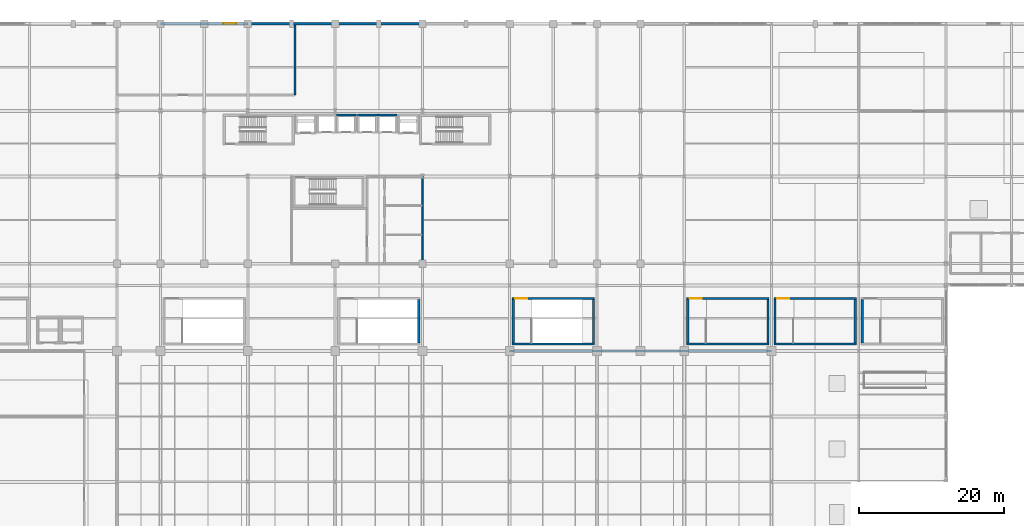
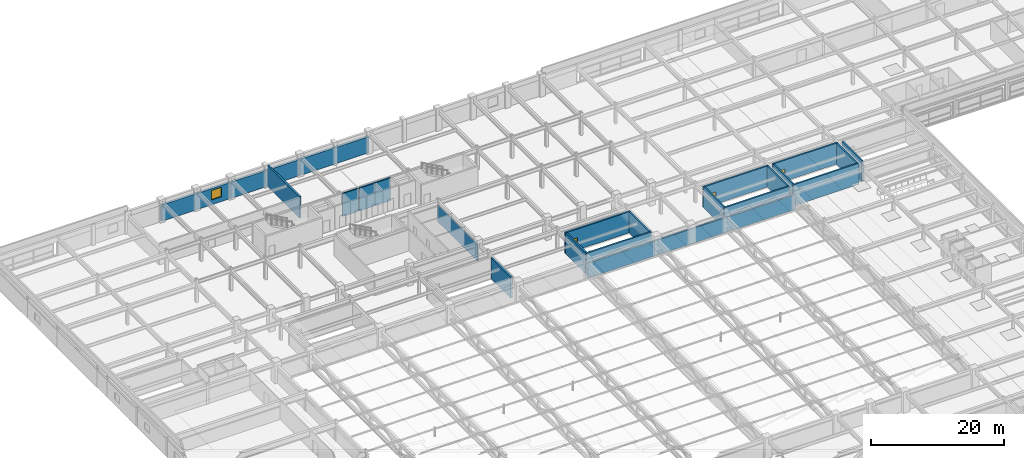
# One storey, part 95 of 108: 23 walls, 3 doors, 1 window, 4 openings.
"""IFC4 building model written with IfcOpenShell, lengths in metres."""

from ifc_helpers import new_model, si_unit, direction, frame, frame_2d, origin, place, context, subcontext, project, spatial, rectangle, extrude, material, layer, layer_set, type_object, element, fill, save


model = new_model("IFC4")

# Units and contexts
model_context = context("Model", 3, precision=1e-05, world=origin(), true_north=direction((0.0, 1.0)))
body_context = subcontext(model_context, "Body", "Model", "MODEL_VIEW")
ifc_project = project(units=[si_unit("LENGTHUNIT", "METRE"), si_unit("AREAUNIT", "SQUARE_METRE"), si_unit("VOLUMEUNIT", "CUBIC_METRE"), si_unit("PLANEANGLEUNIT", "RADIAN"), si_unit("MASSUNIT", "GRAM", prefix="KILO")], contexts=[model_context])

# Site, building, storey
site_placement = place(None, origin())
site = spatial("IfcSite", under=ifc_project, at=site_placement, CompositionType="ELEMENT")
building_placement = place(site_placement, origin())
building = spatial("IfcBuilding", under=site, at=building_placement, Name="Kaldorvane Square Convention Centre", CompositionType="ELEMENT")
storey_placement = place(building_placement, frame((0.0, 0.0, 23.399993896484375)))
storey = spatial("IfcBuildingStorey", under=building, at=storey_placement, Name="L04", CompositionType="ELEMENT", Elevation=23.399993896484375)

# Walls
ifc_material_1 = material(Name="Reinforced Concrete Masonry Acoustic Partition", Category="masonry")
ifc_layer_1 = layer(ifc_material_1, 0.279998779296875)
ifc_layer_set_1 = layer_set([ifc_layer_1], Name="Reinforced Concrete Masonry Acoustic Partition")
wall_type_1 = type_object("IfcWallType", Name="WL-ACO-280", PredefinedType="PARTITIONING", material=ifc_layer_set_1)
wall_1_placement = place(storey_placement, frame((114.0, 72.0, 0.0), z_axis=(0.0, 0.0, 1.0), x_axis=(-1.0, 0.0, 0.0)))
element("IfcWall", 1, at=wall_1_placement, inside=storey, type_object=wall_type_1, Name="Upper Hall Acoustic Enclosure PN (L04)", PredefinedType="PARTITIONING", context=body_context, shape_type="SweptSolid", body=[
    extrude(rectangle(XDim=36.0, YDim=0.279998779296875, at=frame_2d((18.0, 0.0))), origin(), (0.0, 0.0, 1.0), 2.7519989013671875),
])
wall_2_placement = place(storey_placement, frame((48.5, 107.19999694824219, 0.0), z_axis=(0.0, 0.0, 1.0), x_axis=(0.0, 1.0, 0.0)))
element("IfcWall", 2, at=wall_2_placement, inside=storey, type_object=wall_type_1, Name="Hotel Transfer Mechanical Plant Room E Wall", PredefinedType="PARTITIONING", context=body_context, shape_type="SweptSolid", body=[
    extrude(rectangle(XDim=9.610000610351562, YDim=0.279998779296875, at=frame_2d((4.80499267578125, 0.0))), origin(), (0.0, 0.0, 1.0), 3.8899993896484375),
])
ifc_material_2 = material(Name="Fire-Rated Gypsum Board on Acoustic Steel Studs", Category="steel")
ifc_layer_2 = layer(ifc_material_2, 0.1999969482421875)
ifc_layer_set_2 = layer_set([ifc_layer_2], Name="Fire-Rated Gypsum Board on Acoustic Steel Studs")
wall_type_2 = type_object("IfcWallType", Name="WL-CORR-200", PredefinedType="PARTITIONING", material=ifc_layer_set_2)
wall_3_placement = place(storey_placement, frame((66.0, 84.0, 0.0), z_axis=(0.0, 0.0, 1.0), x_axis=(0.0, 1.0, 0.0)))
element("IfcWall", 3, at=wall_3_placement, inside=storey, type_object=wall_type_2, Name="Restroom East Wall (L04)", PredefinedType="PARTITIONING", context=body_context, shape_type="SweptSolid", body=[
    extrude(rectangle(XDim=12.0, YDim=0.1999969482421875, at=frame_2d((6.0, 0.0))), origin(), (0.0, 0.0, 1.0), 3.040008544921875),
])

# Wall, opening, window
ifc_material_3 = material(Name="Concrete f'c = 42 MPa (Normalweight)", Category="concrete")
ifc_layer_3 = layer(ifc_material_3, 0.3800048828125)
ifc_layer_set_3 = layer_set([ifc_layer_3], Name="Concrete f'c = 42 MPa (Normalweight)")
wall_type_3 = type_object("IfcWallType", Name="WL-EXT-380", PredefinedType="STANDARD", material=ifc_layer_set_3)
wall_4_placement = place(storey_placement, frame((42.0, 117.0, 0.0), z_axis=(0.0, 0.0, 1.0), x_axis=(-1.0, 0.0, 0.0)))
wall_4 = element("IfcWall", 4, at=wall_4_placement, inside=storey, type_object=wall_type_3, Name="North Square Brutalist Facade Wall (L04)", PredefinedType="STANDARD", context=body_context, shape_type="SweptSolid", body=[
    extrude(rectangle(XDim=12.0, YDim=0.3800048828125, at=frame_2d((6.0, 0.0))), origin(), (0.0, 0.0, 1.0), 2.9860076904296875),
])
opening_1_placement = place(wall_4_placement, frame((1.600006103515625, 0.0, 0.899993896484375)))
opening_1 = element("IfcOpeningElement", 5, at=opening_1_placement, cuts=wall_4, Name="Opening W-22", PredefinedType="OPENING", context=body_context, shape_type="SweptSolid", body=[
    extrude(rectangle(XDim=1.75, YDim=1.75, at=frame_2d((0.875, 0.875))), frame((0.0, 0.2050018310546875, 0.0), z_axis=(0.0, -1.0, 0.0), x_axis=(1.0, 0.0, 0.0)), (0.0, 0.0, 1.0), 0.410003662109375),
])
ifc_material_4 = material(Name="Anodized Aluminum and Low-E Insulated Glazing", Category="aluminium")
window_type = type_object("IfcWindowType", Name="WN-POD-1750X1750", PartitioningType="SINGLE_PANEL", PredefinedType="WINDOW", material=ifc_material_4)
window_placement = place(opening_1_placement, origin())
window = element("IfcWindow", 6, at=window_placement, inside=storey, type_object=window_type, Name="North Facade Window (L04)", OverallHeight=1.75, OverallWidth=1.75, PartitioningType="SINGLE_PANEL", PredefinedType="WINDOW", context=body_context, shape_type="SweptSolid", body=[
    extrude(rectangle(XDim=1.75, YDim=1.75, at=frame_2d((0.875, 0.875))), frame((0.0, 0.029998779296875, 0.0), z_axis=(0.0, -1.0, 0.0), x_axis=(1.0, 0.0, 0.0)), (0.0, 0.0, 1.0), 0.05999755859375),
])
fill(opening_1, window)

# Walls
for number, where, z_axis, x_axis, name in (
    (7, (54.0, 117.0, 0.0), (0.0, 0.0, 1.0), (-1.0, 0.0, 0.0), "North Square Brutalist Facade Wall (L04)"),
    (8, (66.0, 117.0, 0.0), (0.0, 0.0, 1.0), (-1.0, 0.0, 0.0), "North Square Brutalist Facade Wall (L04)"),
):
    element("IfcWall", number, at=place(storey_placement, frame(where, z_axis=z_axis, x_axis=x_axis)), inside=storey, type_object=wall_type_3, Name=name, PredefinedType="STANDARD", context=body_context, shape_type="SweptSolid", body=[
        extrude(rectangle(XDim=12.0, YDim=0.3800048828125, at=frame_2d((6.0, 0.0))), origin(), (0.0, 0.0, 1.0), 2.9860076904296875),
    ])
ifc_material_5 = material(Name="Concrete f'c = 55 MPa (Normalweight)", Category="concrete")
ifc_layer_4 = layer(ifc_material_5, 0.3000030517578125)
ifc_layer_set_4 = layer_set([ifc_layer_4], Name="Concrete f'c = 55 MPa (Normalweight)")
wall_type_4 = type_object("IfcWallType", Name="WL-SHAFT-300", PredefinedType="SHEAR", material=ifc_layer_set_4)
wall_5_placement = place(storey_placement, frame((65.50999450683594, 73.10000610351562, 0.0), z_axis=(0.0, 0.0, 1.0), x_axis=(0.0, 1.0, 0.0)))
element("IfcWall", 9, at=wall_5_placement, inside=storey, type_object=wall_type_4, Name="Core Enclosure Wall stair:ST-C14-E (L04)", PredefinedType="SHEAR", context=body_context, shape_type="SweptSolid", body=[
    extrude(rectangle(XDim=5.959991455078125, YDim=0.3000030517578125, at=frame_2d((2.9799957275390625, 0.0))), origin(), (0.0, 0.0, 1.0), 3.850006103515625),
])
wall_6_placement = place(storey_placement, frame((78.33999633789062, 72.94999694824219, 0.0), z_axis=(0.0, 0.0, 1.0), x_axis=(1.0, 0.0, 0.0)))
element("IfcWall", 10, at=wall_6_placement, inside=storey, type_object=wall_type_4, Name="Core Enclosure Wall stair:ST-C15-S (L04)", PredefinedType="SHEAR", context=body_context, shape_type="SweptSolid", body=[
    extrude(rectangle(XDim=11.32000732421875, YDim=0.3000030517578125, at=frame_2d((5.660003662109375, 0.0))), origin(), (0.0, 0.0, 1.0), 3.850006103515625),
])

# Wall, opening, door
wall_7_placement = place(storey_placement, frame((89.66000366210938, 79.21000671386719, 0.0), z_axis=(0.0, 0.0, 1.0), x_axis=(-1.0, 0.0, 0.0)))
wall_7 = element("IfcWall", 11, at=wall_7_placement, inside=storey, type_object=wall_type_4, Name="Core Enclosure Wall stair:ST-C15-N (L04)", PredefinedType="SHEAR", context=body_context, shape_type="SweptSolid", body=[
    extrude(rectangle(XDim=11.32000732421875, YDim=0.3000030517578125, at=frame_2d((5.660003662109375, 0.0))), origin(), (0.0, 0.0, 1.0), 3.850006103515625),
])
opening_2_placement = place(wall_7_placement, frame((9.220001220703125, 0.0, 0.0)))
opening_2 = element("IfcOpeningElement", 12, at=opening_2_placement, cuts=wall_7, Name="Opening FD90-S2", PredefinedType="OPENING", context=body_context, shape_type="SweptSolid", body=[
    extrude(rectangle(XDim=1.649993896484375, YDim=2.25, at=frame_2d((0.8249969482421875, 1.125))), frame((0.0, 0.165008544921875, 0.0), z_axis=(0.0, -1.0, 0.0), x_axis=(1.0, 0.0, 0.0)), (0.0, 0.0, 1.0), 0.3300018310546875),
])
ifc_material_6 = material(Name="Fire-Rated Hollow Metal Steel", Category="steel")
door_type = type_object("IfcDoorType", Name="DR-STAIR-1650", OperationType="DOUBLE_DOOR_SINGLE_SWING", PredefinedType="DOOR", material=ifc_material_6)
door_1_placement = place(opening_2_placement, origin())
door_1 = element("IfcDoor", 13, at=door_1_placement, inside=storey, type_object=door_type, Name="Convention Exit Stair C15 Fire Door (L04)", OperationType="DOUBLE_DOOR_SINGLE_SWING", OverallHeight=2.25, OverallWidth=1.649993896484375, PredefinedType="DOOR", context=body_context, shape_type="SweptSolid", body=[
    extrude(rectangle(XDim=1.649993896484375, YDim=2.25, at=frame_2d((0.8249969482421875, 1.125))), frame((0.0, 0.024993896484375, 0.0), z_axis=(0.0, -1.0, 0.0), x_axis=(1.0, 0.0, 0.0)), (0.0, 0.0, 1.0), 0.0500030517578125),
])
fill(opening_2, door_1)

# Walls
for number, where, z_axis, x_axis, name in (
    (14, (78.49000549316406, 79.05999755859375, 0.0), (0.0, 0.0, 1.0), (0.0, -1.0, 0.0), "Core Enclosure Wall stair:ST-C15-W (L04)"),
    (15, (89.50999450683594, 73.10000610351562, 0.0), (0.0, 0.0, 1.0), (0.0, 1.0, 0.0), "Core Enclosure Wall stair:ST-C15-E (L04)"),
):
    element("IfcWall", number, at=place(storey_placement, frame(where, z_axis=z_axis, x_axis=x_axis)), inside=storey, type_object=wall_type_4, Name=name, PredefinedType="SHEAR", context=body_context, shape_type="SweptSolid", body=[
        extrude(rectangle(XDim=5.959991455078125, YDim=0.3000030517578125, at=frame_2d((2.9799957275390625, 0.0))), origin(), (0.0, 0.0, 1.0), 3.850006103515625),
    ])
wall_8_placement = place(storey_placement, frame((102.33999633789062, 72.94999694824219, 0.0), z_axis=(0.0, 0.0, 1.0), x_axis=(1.0, 0.0, 0.0)))
element("IfcWall", 16, at=wall_8_placement, inside=storey, type_object=wall_type_4, Name="Core Enclosure Wall stair:ST-C16-S (L04)", PredefinedType="SHEAR", context=body_context, shape_type="SweptSolid", body=[
    extrude(rectangle(XDim=11.32000732421875, YDim=0.3000030517578125, at=frame_2d((5.660003662109375, 0.0))), origin(), (0.0, 0.0, 1.0), 3.850006103515625),
])

# Wall, opening, door
wall_9_placement = place(storey_placement, frame((113.66000366210938, 79.21000671386719, 0.0), z_axis=(0.0, 0.0, 1.0), x_axis=(-1.0, 0.0, 0.0)))
wall_9 = element("IfcWall", 17, at=wall_9_placement, inside=storey, type_object=wall_type_4, Name="Core Enclosure Wall stair:ST-C16-N (L04)", PredefinedType="SHEAR", context=body_context, shape_type="SweptSolid", body=[
    extrude(rectangle(XDim=11.32000732421875, YDim=0.3000030517578125, at=frame_2d((5.660003662109375, 0.0))), origin(), (0.0, 0.0, 1.0), 3.850006103515625),
])
opening_3_placement = place(wall_9_placement, frame((9.220001220703125, 0.0, 0.0)))
opening_3 = element("IfcOpeningElement", 18, at=opening_3_placement, cuts=wall_9, Name="Opening FD90-S2", PredefinedType="OPENING", context=body_context, shape_type="SweptSolid", body=[
    extrude(rectangle(XDim=1.649993896484375, YDim=2.25, at=frame_2d((0.8249969482421875, 1.125))), frame((0.0, 0.165008544921875, 0.0), z_axis=(0.0, -1.0, 0.0), x_axis=(1.0, 0.0, 0.0)), (0.0, 0.0, 1.0), 0.3300018310546875),
])
door_2_placement = place(opening_3_placement, origin())
door_2 = element("IfcDoor", 19, at=door_2_placement, inside=storey, type_object=door_type, Name="Convention Exit Stair C16 Fire Door (L04)", OperationType="DOUBLE_DOOR_SINGLE_SWING", OverallHeight=2.25, OverallWidth=1.649993896484375, PredefinedType="DOOR", context=body_context, shape_type="SweptSolid", body=[
    extrude(rectangle(XDim=1.649993896484375, YDim=2.25, at=frame_2d((0.8249969482421875, 1.125))), frame((0.0, 0.024993896484375, 0.0), z_axis=(0.0, -1.0, 0.0), x_axis=(1.0, 0.0, 0.0)), (0.0, 0.0, 1.0), 0.0500030517578125),
])
fill(opening_3, door_2)

# Walls
for number, where, z_axis, x_axis, name in (
    (20, (102.49000549316406, 79.05999755859375, 0.0), (0.0, 0.0, 1.0), (0.0, -1.0, 0.0), "Core Enclosure Wall stair:ST-C16-W (L04)"),
    (21, (113.50999450683594, 73.10000610351562, 0.0), (0.0, 0.0, 1.0), (0.0, 1.0, 0.0), "Core Enclosure Wall stair:ST-C16-E (L04)"),
):
    element("IfcWall", number, at=place(storey_placement, frame(where, z_axis=z_axis, x_axis=x_axis)), inside=storey, type_object=wall_type_4, Name=name, PredefinedType="SHEAR", context=body_context, shape_type="SweptSolid", body=[
        extrude(rectangle(XDim=5.959991455078125, YDim=0.3000030517578125, at=frame_2d((2.9799957275390625, 0.0))), origin(), (0.0, 0.0, 1.0), 3.850006103515625),
    ])
wall_10_placement = place(storey_placement, frame((114.33999633789062, 72.94999694824219, 0.0), z_axis=(0.0, 0.0, 1.0), x_axis=(1.0, 0.0, 0.0)))
element("IfcWall", 22, at=wall_10_placement, inside=storey, type_object=wall_type_4, Name="Core Enclosure Wall stair:ST-C17-S (L04)", PredefinedType="SHEAR", context=body_context, shape_type="SweptSolid", body=[
    extrude(rectangle(XDim=11.32000732421875, YDim=0.3000030517578125, at=frame_2d((5.660003662109375, 0.0))), origin(), (0.0, 0.0, 1.0), 3.850006103515625),
])

# Wall, opening, door
wall_11_placement = place(storey_placement, frame((125.66000366210938, 79.21000671386719, 0.0), z_axis=(0.0, 0.0, 1.0), x_axis=(-1.0, 0.0, 0.0)))
wall_11 = element("IfcWall", 23, at=wall_11_placement, inside=storey, type_object=wall_type_4, Name="Core Enclosure Wall stair:ST-C17-N (L04)", PredefinedType="SHEAR", context=body_context, shape_type="SweptSolid", body=[
    extrude(rectangle(XDim=11.32000732421875, YDim=0.3000030517578125, at=frame_2d((5.660003662109375, 0.0))), origin(), (0.0, 0.0, 1.0), 3.850006103515625),
])
opening_4_placement = place(wall_11_placement, frame((9.220001220703125, 0.0, 0.0)))
opening_4 = element("IfcOpeningElement", 24, at=opening_4_placement, cuts=wall_11, Name="Opening FD90-S2", PredefinedType="OPENING", context=body_context, shape_type="SweptSolid", body=[
    extrude(rectangle(XDim=1.649993896484375, YDim=2.25, at=frame_2d((0.8249969482421875, 1.125))), frame((0.0, 0.165008544921875, 0.0), z_axis=(0.0, -1.0, 0.0), x_axis=(1.0, 0.0, 0.0)), (0.0, 0.0, 1.0), 0.3300018310546875),
])
door_3_placement = place(opening_4_placement, origin())
door_3 = element("IfcDoor", 25, at=door_3_placement, inside=storey, type_object=door_type, Name="Convention Exit Stair C17 Fire Door (L04)", OperationType="DOUBLE_DOOR_SINGLE_SWING", OverallHeight=2.25, OverallWidth=1.649993896484375, PredefinedType="DOOR", context=body_context, shape_type="SweptSolid", body=[
    extrude(rectangle(XDim=1.649993896484375, YDim=2.25, at=frame_2d((0.8249969482421875, 1.125))), frame((0.0, 0.024993896484375, 0.0), z_axis=(0.0, -1.0, 0.0), x_axis=(1.0, 0.0, 0.0)), (0.0, 0.0, 1.0), 0.0500030517578125),
])
fill(opening_4, door_3)

# Walls
for number, where, z_axis, x_axis, name in (
    (26, (114.49000549316406, 79.05999755859375, 0.0), (0.0, 0.0, 1.0), (0.0, -1.0, 0.0), "Core Enclosure Wall stair:ST-C17-W (L04)"),
    (27, (125.50999450683594, 73.10000610351562, 0.0), (0.0, 0.0, 1.0), (0.0, 1.0, 0.0), "Core Enclosure Wall stair:ST-C17-E (L04)"),
    (28, (126.49000549316406, 79.05999755859375, 0.0), (0.0, 0.0, 1.0), (0.0, -1.0, 0.0), "Core Enclosure Wall stair:ST-C18-W (L04)"),
):
    element("IfcWall", number, at=place(storey_placement, frame(where, z_axis=z_axis, x_axis=x_axis)), inside=storey, type_object=wall_type_4, Name=name, PredefinedType="SHEAR", context=body_context, shape_type="SweptSolid", body=[
        extrude(rectangle(XDim=5.959991455078125, YDim=0.3000030517578125, at=frame_2d((2.9799957275390625, 0.0))), origin(), (0.0, 0.0, 1.0), 3.850006103515625),
    ])
for number, where, z_axis, x_axis, name in (
    (29, (56.899993896484375, 104.42500305175781, 0.0), (0.0, 0.0, 1.0), (-1.0, 0.0, 0.0), "Core Enclosure Wall lift:EL-P2-N (L04)"),
    (30, (59.80000305175781, 104.42500305175781, 0.0), (0.0, 0.0, 1.0), (-1.0, 0.0, 0.0), "Core Enclosure Wall lift:EL-P3-N (L04)"),
    (31, (62.5, 104.42500305175781, 0.0), (0.0, 0.0, 1.0), (-1.0, 0.0, 0.0), "Core Enclosure Wall lift:EL-P4-N (L04)"),
):
    element("IfcWall", number, at=place(storey_placement, frame(where, z_axis=z_axis, x_axis=x_axis)), inside=storey, type_object=wall_type_4, Name=name, PredefinedType="SHEAR", context=body_context, shape_type="SweptSolid", body=[
        extrude(rectangle(XDim=2.6999969482421875, YDim=0.25, at=frame_2d((1.350006103515625, 0.0))), origin(), (0.0, 0.0, 1.0), 4.20001220703125),
    ])

save(model, "model.ifc")
